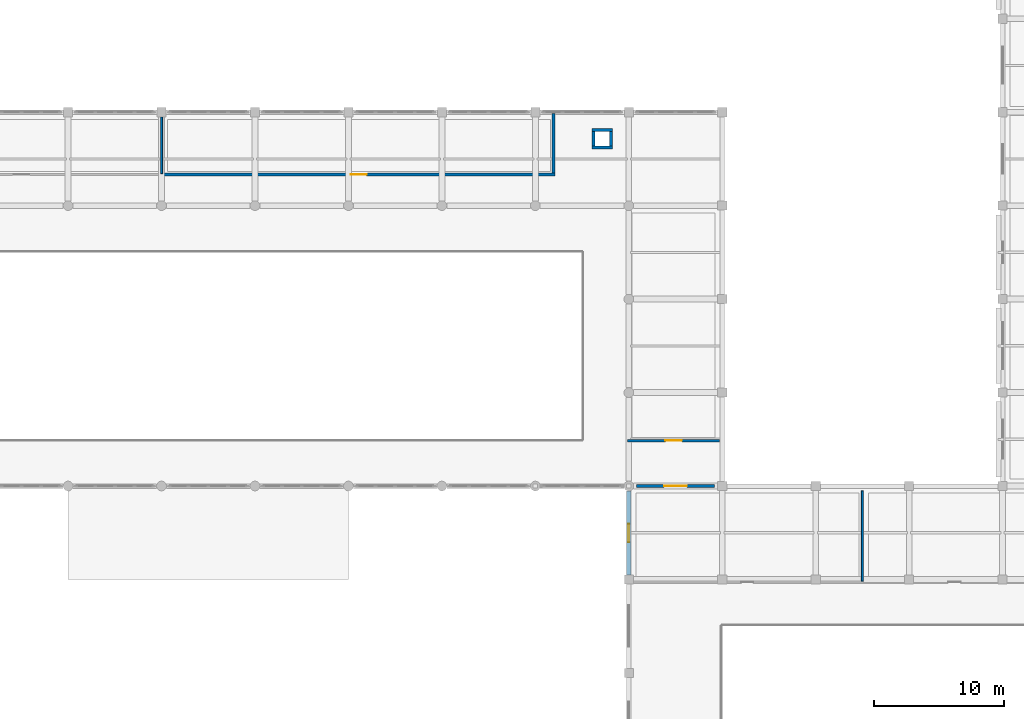
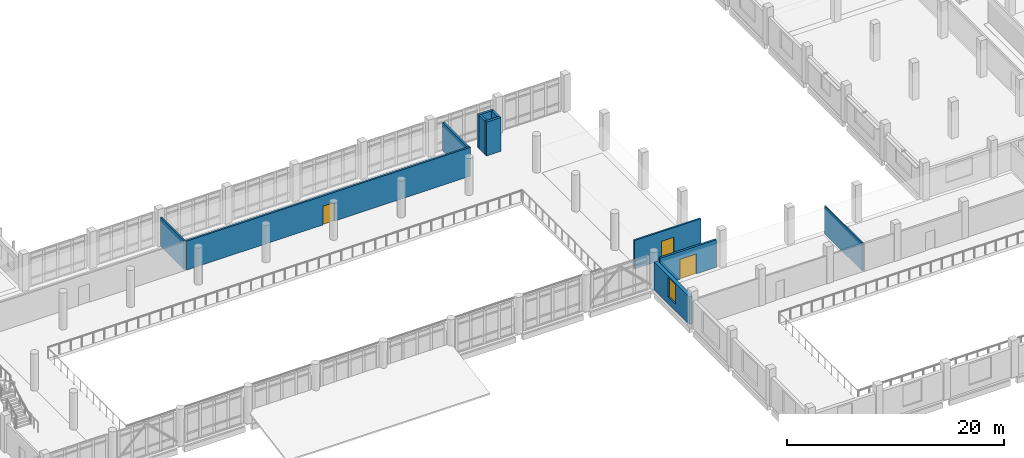
# One storey, part 35 of 57: 11 walls, 3 doors, 1 window, 4 openings.
"""IFC4 building model written with IfcOpenShell, lengths in metres."""

from ifc_helpers import new_model, si_unit, direction, frame, frame_2d, origin, place, context, subcontext, project, spatial, rectangle, extrude, material, layer, layer_set, type_object, element, fill, save


model = new_model("IFC4")

# Units and contexts
model_context = context("Model", 3, precision=1e-05, world=origin(), true_north=direction((0.0, 1.0)))
body_context = subcontext(model_context, "Body", "Model", "MODEL_VIEW")
ifc_project = project(units=[si_unit("LENGTHUNIT", "METRE"), si_unit("AREAUNIT", "SQUARE_METRE"), si_unit("VOLUMEUNIT", "CUBIC_METRE"), si_unit("PLANEANGLEUNIT", "RADIAN"), si_unit("MASSUNIT", "GRAM", prefix="KILO")], contexts=[model_context])

# Site, building, storey
site_placement = place(None, origin())
site = spatial("IfcSite", under=ifc_project, at=site_placement, CompositionType="ELEMENT")
building_placement = place(site_placement, origin())
building = spatial("IfcBuilding", under=site, at=building_placement, Name="Valkovuoma Quantum and Materials Research Institute", CompositionType="ELEMENT")
storey_placement = place(building_placement, frame((0.0, 0.0, 4.800048828125)))
storey = spatial("IfcBuildingStorey", under=building, at=storey_placement, Name="L01", CompositionType="ELEMENT", Elevation=4.800048828125)

# Wall, opening, window
ifc_material_1 = material(Name="Precast concrete C40/50", Category="concrete")
ifc_layer_1 = layer(ifc_material_1, 0.360107421875)
ifc_layer_set_1 = layer_set([ifc_layer_1], Name="Precast concrete C40/50")
wall_type_1 = type_object("IfcWallType", Name="Wall-W-EXT360", PredefinedType="SOLIDWALL", material=ifc_layer_set_1)
wall_1_placement = place(storey_placement, frame((100.800048828125, 29.139892578125, 0.0), z_axis=(0.0, 0.0, 1.0), x_axis=(0.0, 1.0, 0.0)))
wall_1 = element("IfcWall", 1, at=wall_1_placement, inside=storey, type_object=wall_type_1, Name="L01 exterior wall 0101", PredefinedType="SOLIDWALL", context=body_context, shape_type="SweptSolid", body=[
    extrude(rectangle(XDim=6.4951171875, YDim=0.360107421875, at=frame_2d((3.24755859375, 0.0))), origin(), (0.0, 0.0, 1.0), 3.10986328125),
])
opening_1_placement = place(wall_1_placement, frame((2.547607421875, 0.0, 0.75)))
opening_1 = element("IfcOpeningElement", 2, at=opening_1_placement, cuts=wall_1, Name="Opening WN-LF06", PredefinedType="OPENING", context=body_context, shape_type="SweptSolid", body=[
    extrude(rectangle(XDim=1.39990234375, YDim=2.199951171875, at=frame_2d((0.699951171875, 1.10009765625))), frame((0.0, 0.18994140625, 0.0), z_axis=(0.0, -1.0, 0.0), x_axis=(1.0, 0.0, 0.0)), (0.0, 0.0, 1.0), 0.380126953125),
])
ifc_material_2 = material(Name="Triple low-E argon glazing in thermally broken aluminium frame", Category="aluminium")
window_type = type_object("IfcWindowType", Name="Win-WN-LF06", PartitioningType="SINGLE_PANEL", PredefinedType="WINDOW", material=ifc_material_2)
window_placement = place(opening_1_placement, origin())
window = element("IfcWindow", 3, at=window_placement, inside=storey, type_object=window_type, Name="L01 window 0090", OverallHeight=2.199951171875, OverallWidth=1.39990234375, PartitioningType="SINGLE_PANEL", PredefinedType="WINDOW", context=body_context, shape_type="SweptSolid", body=[
    extrude(rectangle(XDim=1.39990234375, YDim=2.199951171875, at=frame_2d((0.699951171875, 1.10009765625))), frame((0.0, 0.030029296875, 0.0), z_axis=(0.0, -1.0, 0.0), x_axis=(1.0, 0.0, 0.0)), (0.0, 0.0, 1.0), 0.06005859375),
])
fill(opening_1, window)

# Wall, opening, door
ifc_material_3 = material(Name="Concrete C40/50", Category="concrete")
ifc_layer_2 = layer(ifc_material_3, 0.219970703125)
ifc_layer_set_2 = layer_set([ifc_layer_2], Name="Concrete C40/50")
wall_type_2 = type_object("IfcWallType", Name="Wall-W-FFL220", PredefinedType="SOLIDWALL", material=ifc_layer_set_2)
wall_2_placement = place(storey_placement, frame((101.39990234375, 36.0, 0.0), z_axis=(0.0, 0.0, 1.0), x_axis=(1.0, 0.0, 0.0)))
wall_2 = element("IfcWall", 4, at=wall_2_placement, inside=storey, type_object=wall_type_2, Name="L01 core wall 0299", PredefinedType="SOLIDWALL", context=body_context, shape_type="SweptSolid", body=[
    extrude(rectangle(XDim=6.0, YDim=0.219970703125, at=frame_2d((3.0, 0.0))), origin(), (0.0, 0.0, 1.0), 3.10986328125),
])
opening_2_placement = place(wall_2_placement, frame((2.125, 0.0, 0.0)))
opening_2 = element("IfcOpeningElement", 5, at=opening_2_placement, cuts=wall_2, Name="Opening LDK-048", PredefinedType="OPENING", context=body_context, shape_type="SweptSolid", body=[
    extrude(rectangle(XDim=1.75, YDim=2.25, at=frame_2d((0.875, 1.125))), frame((0.0, 0.1201171875, 0.0), z_axis=(0.0, -1.0, 0.0), x_axis=(1.0, 0.0, 0.0)), (0.0, 0.0, 1.0), 0.239990234375),
])
ifc_material_4 = material(Name="Powder-coated steel and acoustic timber door assembly", Category="steel")
door_type_1 = type_object("IfcDoorType", Name="Door-DR-SM04", OperationType="NOTDEFINED", PredefinedType="DOOR", material=ifc_material_4)
door_1_placement = place(opening_2_placement, origin())
door_1 = element("IfcDoor", 6, at=door_1_placement, inside=storey, type_object=door_type_1, Name="L01 lecture-atrium link door", OperationType="DOUBLE_DOOR_SINGLE_SWING", OverallHeight=2.25, OverallWidth=1.75, PredefinedType="DOOR", context=body_context, shape_type="SweptSolid", body=[
    extrude(rectangle(XDim=1.75, YDim=2.25, at=frame_2d((0.875, 1.125))), frame((0.0, 0.02490234375, 0.0), z_axis=(0.0, -1.0, 0.0), x_axis=(1.0, 0.0, 0.0)), (0.0, 0.0, 1.0), 0.050048828125),
])
fill(opening_2, door_1)

# Walls
ifc_material_5 = material(Name="Acoustic write-up studio partition", Category="masonry")
ifc_layer_3 = layer(ifc_material_5, 0.14990234375)
ifc_layer_set_3 = layer_set([ifc_layer_3], Name="Acoustic write-up studio partition")
wall_type_3 = type_object("IfcWallType", Name="Wall-W-PRT150", PredefinedType="PARTITIONING", material=ifc_layer_set_3)
wall_3_placement = place(storey_placement, frame((118.800048828125, 28.675048828125, 0.0), z_axis=(0.0, 0.0, 1.0), x_axis=(0.0, 1.0, 0.0)))
element("IfcWall", 7, at=wall_3_placement, inside=storey, type_object=wall_type_3, Name="L01 partition 0072", PredefinedType="PARTITIONING", context=body_context, shape_type="SweptSolid", body=[
    extrude(rectangle(XDim=6.949951171875, YDim=0.14990234375, at=frame_2d((3.47509765625, 0.0))), origin(), (0.0, 0.0, 1.0), 3.10986328125),
])
wall_4_placement = place(storey_placement, frame((64.800048828125, 60.074951171875, 0.0), z_axis=(0.0, 0.0, 1.0), x_axis=(0.0, 1.0, 0.0)))
element("IfcWall", 8, at=wall_4_placement, inside=storey, type_object=wall_type_3, Name="L01 partition 0081", PredefinedType="PARTITIONING", context=body_context, shape_type="SweptSolid", body=[
    extrude(rectangle(XDim=4.35009765625, YDim=0.14990234375, at=frame_2d((2.175048828125, 0.0))), origin(), (0.0, 0.0, 1.0), 3.260009765625),
])

# Wall, opening, door
ifc_material_6 = material(Name="Laboratory fire-rated gypsum partition", Category="masonry")
ifc_layer_4 = layer(ifc_material_6, 0.179931640625)
ifc_layer_set_4 = layer_set([ifc_layer_4], Name="Laboratory fire-rated gypsum partition")
wall_type_4 = type_object("IfcWallType", Name="Wall-W-PRT180", PredefinedType="PARTITIONING", material=ifc_layer_set_4)
wall_5_placement = place(storey_placement, frame((100.7099609375, 39.5, 0.0), z_axis=(0.0, 0.0, 1.0), x_axis=(1.0, 0.0, 0.0)))
wall_5 = element("IfcWall", 9, at=wall_5_placement, inside=storey, type_object=wall_type_4, Name="L01 partition 0084", PredefinedType="PARTITIONING", context=body_context, shape_type="SweptSolid", body=[
    extrude(rectangle(XDim=7.080078125, YDim=0.179931640625, at=frame_2d((3.5400390625, 0.0))), origin(), (0.0, 0.0, 1.0), 3.2099609375),
])
opening_3_placement = place(wall_5_placement, frame((2.89990234375, 0.0, 0.0)))
opening_3 = element("IfcOpeningElement", 10, at=opening_3_placement, cuts=wall_5, Name="Opening ID-0060", PredefinedType="OPENING", context=body_context, shape_type="SweptSolid", body=[
    extrude(rectangle(XDim=1.280029296875, YDim=2.1201171875, at=frame_2d((0.64013671875, 1.06005859375))), frame((0.0, 0.10009765625, 0.0), z_axis=(0.0, -1.0, 0.0), x_axis=(1.0, 0.0, 0.0)), (0.0, 0.0, 1.0), 0.199951171875),
])
ifc_material_7 = material(Name="Powder-coated steel and acoustic timber door assembly", Category="steel")
door_type_2 = type_object("IfcDoorType", Name="Door-DR-RM08", OperationType="NOTDEFINED", PredefinedType="DOOR", material=ifc_material_7)
door_2_placement = place(opening_3_placement, origin())
door_2 = element("IfcDoor", 11, at=door_2_placement, inside=storey, type_object=door_type_2, Name="L01 room door 0060", OperationType="SINGLE_SWING_LEFT", OverallHeight=2.1201171875, OverallWidth=1.280029296875, PredefinedType="DOOR", context=body_context, shape_type="SweptSolid", body=[
    extrude(rectangle(XDim=1.280029296875, YDim=2.1201171875, at=frame_2d((0.64013671875, 1.06005859375))), frame((0.0, 0.02490234375, 0.0), z_axis=(0.0, -1.0, 0.0), x_axis=(1.0, 0.0, 0.0)), (0.0, 0.0, 1.0), 0.050048828125),
])
fill(opening_3, door_2)

ifc_material_8 = material(Name="Acoustic double-stud gypsum and mineral wool partition", Category="masonry")
ifc_layer_5 = layer(ifc_material_8, 0.199951171875)
ifc_layer_set_5 = layer_set([ifc_layer_5], Name="Acoustic double-stud gypsum and mineral wool partition")
wall_type_5 = type_object("IfcWallType", Name="Wall-W-PRT200", PredefinedType="PARTITIONING", material=ifc_layer_set_5)
wall_6_placement = place(storey_placement, frame((64.875, 60.0, 0.0), z_axis=(0.0, 0.0, 1.0), x_axis=(1.0, 0.0, 0.0)))
wall_6 = element("IfcWall", 12, at=wall_6_placement, inside=storey, type_object=wall_type_5, Name="L01 partition 0082", PredefinedType="PARTITIONING", context=body_context, shape_type="SweptSolid", body=[
    extrude(rectangle(XDim=30.22509765625, YDim=0.199951171875, at=frame_2d((15.112548828125, 0.0))), origin(), (0.0, 0.0, 1.0), 3.260009765625),
])
opening_4_placement = place(wall_6_placement, frame((14.49755859375, 0.0, 0.0)))
opening_4 = element("IfcOpeningElement", 13, at=opening_4_placement, cuts=wall_6, Name="Opening ID-0059", PredefinedType="OPENING", context=body_context, shape_type="SweptSolid", body=[
    extrude(rectangle(XDim=1.22998046875, YDim=2.1201171875, at=frame_2d((0.614990234375, 1.06005859375))), frame((0.0, 0.10986328125, 0.0), z_axis=(0.0, -1.0, 0.0), x_axis=(1.0, 0.0, 0.0)), (0.0, 0.0, 1.0), 0.219970703125),
])
ifc_material_9 = material(Name="Powder-coated steel and acoustic timber door assembly", Category="steel")
door_type_3 = type_object("IfcDoorType", Name="Door-DR-RM07", OperationType="NOTDEFINED", PredefinedType="DOOR", material=ifc_material_9)
door_3_placement = place(opening_4_placement, origin())
door_3 = element("IfcDoor", 14, at=door_3_placement, inside=storey, type_object=door_type_3, Name="L01 room door 0059", OperationType="SINGLE_SWING_RIGHT", OverallHeight=2.1201171875, OverallWidth=1.22998046875, PredefinedType="DOOR", context=body_context, shape_type="SweptSolid", body=[
    extrude(rectangle(XDim=1.22998046875, YDim=2.1201171875, at=frame_2d((0.614990234375, 1.06005859375))), frame((0.0, 0.02490234375, 0.0), z_axis=(0.0, -1.0, 0.0), x_axis=(1.0, 0.0, 0.0)), (0.0, 0.0, 1.0), 0.050048828125),
])
fill(opening_4, door_3)

# Walls
wall_7_placement = place(storey_placement, frame((95.0, 60.10009765625, 0.0), z_axis=(0.0, 0.0, 1.0), x_axis=(0.0, 1.0, 0.0)))
element("IfcWall", 15, at=wall_7_placement, inside=storey, type_object=wall_type_5, Name="L01 partition 0083", PredefinedType="PARTITIONING", context=body_context, shape_type="SweptSolid", body=[
    extrude(rectangle(XDim=4.599853515625, YDim=0.199951171875, at=frame_2d((2.2998046875, 0.0))), origin(), (0.0, 0.0, 1.0), 3.2099609375),
])
ifc_material_10 = material(Name="Concrete C40/50", Category="concrete")
ifc_layer_6 = layer(ifc_material_10, 0.239990234375)
ifc_layer_set_6 = layer_set([ifc_layer_6], Name="Concrete C40/50")
wall_type_6 = type_object("IfcWallType", Name="Wall-W-SHF240", PredefinedType="SOLIDWALL", material=ifc_layer_set_6)
for number, where, z_axis, x_axis, name in (
    (16, (97.9599609375, 62.080078125, 0.0), (0.0, 0.0, 1.0), (1.0, 0.0, 0.0), "L01 core wall 0353"),
    (17, (97.9599609375, 63.419921875, 0.0), (0.0, 0.0, 1.0), (1.0, 0.0, 0.0), "L01 core wall 0354"),
):
    element("IfcWall", number, at=place(storey_placement, frame(where, z_axis=z_axis, x_axis=x_axis)), inside=storey, type_object=wall_type_6, Name=name, PredefinedType="SOLIDWALL", context=body_context, shape_type="SweptSolid", body=[
        extrude(rectangle(XDim=1.580078125, YDim=0.239990234375, at=frame_2d((0.7900390625, 0.0))), origin(), (0.0, 0.0, 1.0), 3.81005859375),
    ])
for number, where, z_axis, x_axis, name in (
    (18, (98.080078125, 62.199951171875, 0.0), (0.0, 0.0, 1.0), (0.0, 1.0, 0.0), "L01 core wall 0355"),
    (19, (99.419921875, 62.199951171875, 0.0), (0.0, 0.0, 1.0), (0.0, 1.0, 0.0), "L01 core wall 0356"),
):
    element("IfcWall", number, at=place(storey_placement, frame(where, z_axis=z_axis, x_axis=x_axis)), inside=storey, type_object=wall_type_6, Name=name, PredefinedType="SOLIDWALL", context=body_context, shape_type="SweptSolid", body=[
        extrude(rectangle(XDim=1.10009765625, YDim=0.239990234375, at=frame_2d((0.550048828125, 0.0))), origin(), (0.0, 0.0, 1.0), 3.81005859375),
    ])

save(model, "model.ifc")
